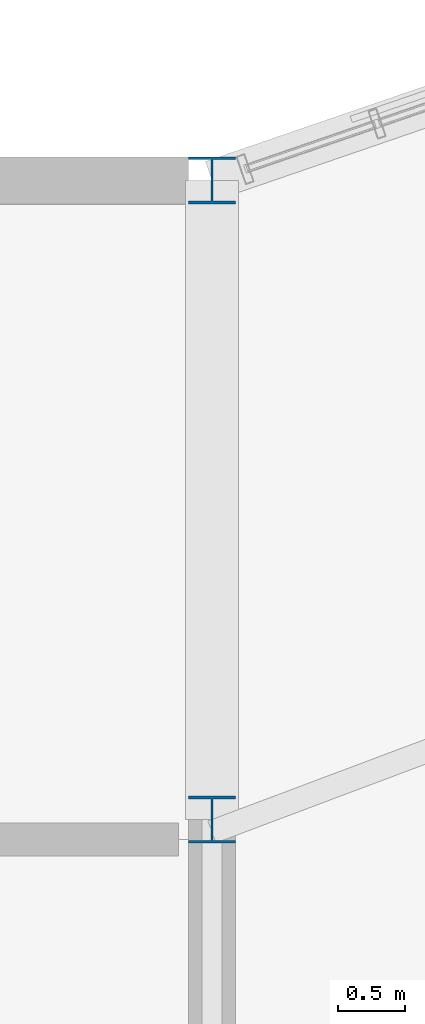
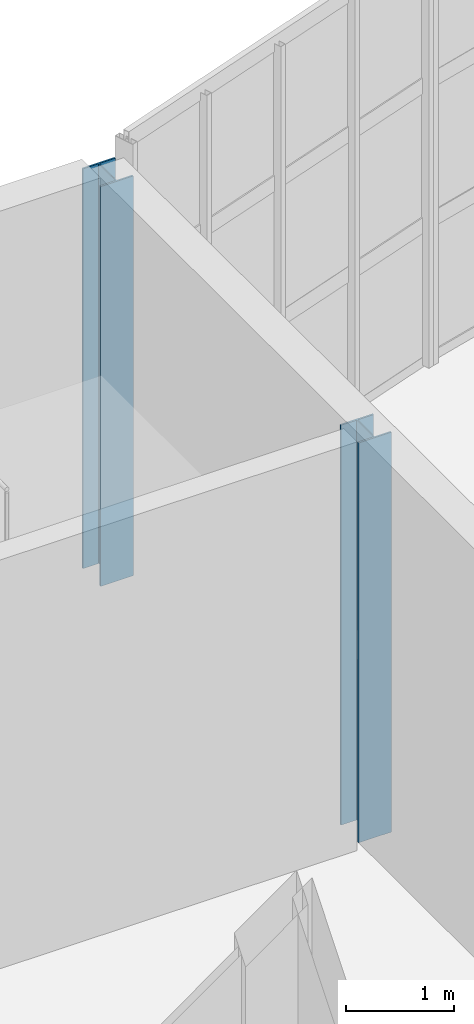
# One storey, part 3 of 46: 2 columns.
"""IFC4 building model written with IfcOpenShell, lengths in metres."""

from ifc_helpers import new_model, si_unit, direction, frame, origin, origin_2d, place, context, subcontext, project, spatial, i_section, extrude, material, material_profile, profile_set, type_object, element, save


model = new_model("IFC4")

# Units and contexts
model_context = context("Model", 3, precision=1e-05, world=origin(), true_north=direction((0.0, 1.0)))
body_context = subcontext(model_context, "Body", "Model", "MODEL_VIEW")
ifc_project = project(units=[si_unit("LENGTHUNIT", "METRE"), si_unit("AREAUNIT", "SQUARE_METRE"), si_unit("VOLUMEUNIT", "CUBIC_METRE"), si_unit("PLANEANGLEUNIT", "RADIAN"), si_unit("MASSUNIT", "GRAM", prefix="KILO")], contexts=[model_context])

# Site, building, storey
site_placement = place(None, origin())
site = spatial("IfcSite", under=ifc_project, at=site_placement, CompositionType="ELEMENT")
building_placement = place(site_placement, origin())
building = spatial("IfcBuilding", under=site, at=building_placement, Name="Solvikara Media Centre", CompositionType="ELEMENT")
storey_placement = place(building_placement, frame((0.0, 0.0, 24.60009765625)))
storey = spatial("IfcBuildingStorey", under=building, at=storey_placement, Name="L05", CompositionType="ELEMENT", Elevation=24.60009765625)

# Columns
ifc_material = material(Name="Steel S355JR", Category="steel")
ifc_material_profile = material_profile(ifc_material, i_section(OverallWidth=0.35009765625, OverallDepth=0.35009765625, WebThickness=0.011962890625, FlangeThickness=0.01904296875, at=origin_2d()), Name="H 350x350x12x19")
ifc_profile_set = profile_set([ifc_material_profile], Name="Steel S355JR")
column_type = type_object("IfcColumnType", Name="CL-21", PredefinedType="COLUMN", material=ifc_profile_set)
for number, where, z_axis, x_axis, name in (
    (1, (76.5, 32.0, 0.0), (0.0, 0.0, 1.0), (1.0, 0.0, 0.0), "C-L05-0765-0320"),
    (2, (76.5, 36.800048828125, 0.0), (0.0, 0.0, 1.0), (1.0, 0.0, 0.0), "C-L05-0765-0368"),
):
    element("IfcColumn", number, at=place(storey_placement, frame(where, z_axis=z_axis, x_axis=x_axis)), inside=storey, type_object=column_type, Name=name, PredefinedType="COLUMN", context=body_context, shape_type="SweptSolid", body=[
        extrude(i_section(OverallWidth=0.35009765625, OverallDepth=0.35009765625, WebThickness=0.011962890625, FlangeThickness=0.01904296875, at=origin_2d()), origin(), (0.0, 0.0, 1.0), 4.539794921875),
    ])

save(model, "model.ifc")
